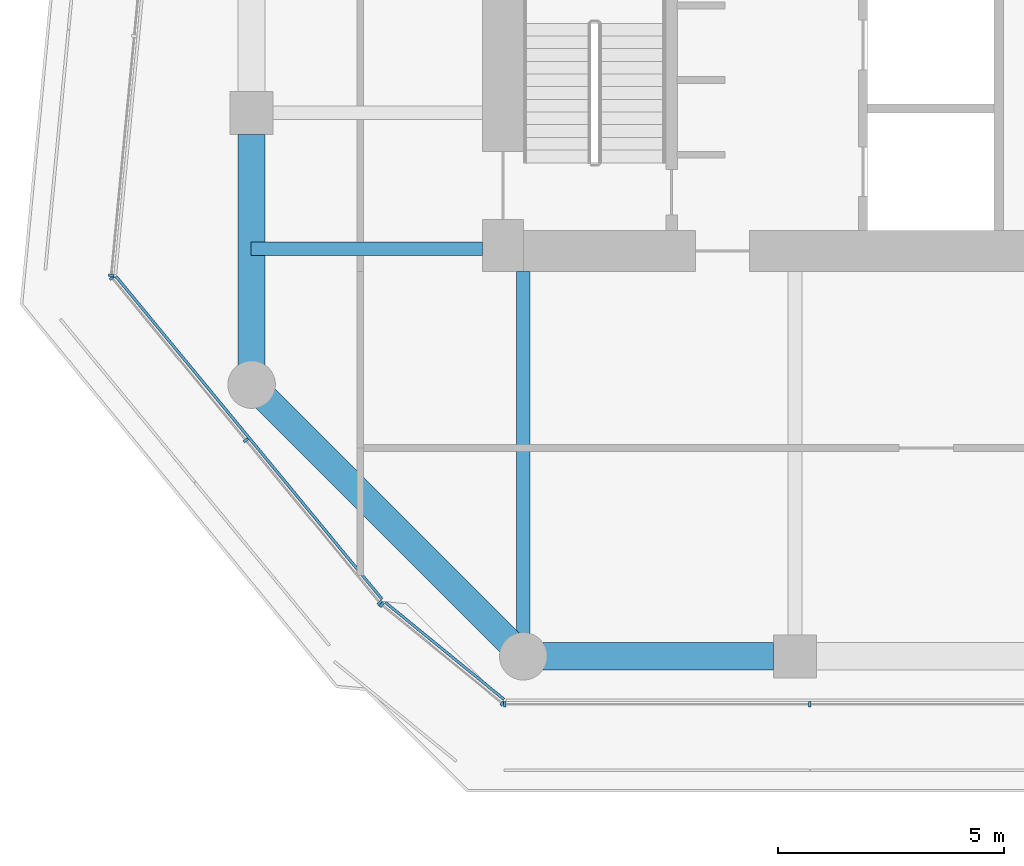
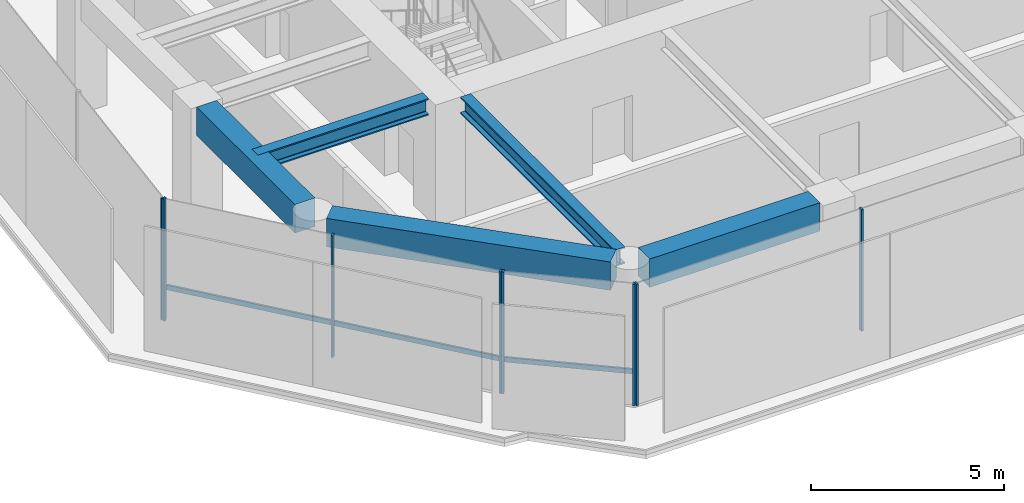
# One storey, part 2 of 31: 10 members, 5 beams, 4 elements without a shape of their own.
"""IFC4 building model written with IfcOpenShell, lengths in metres."""

from ifc_helpers import new_model, si_unit, direction, frame, origin, origin_2d, place, context, subcontext, project, spatial, rectangle, i_section, extrude, material, layer, layer_set, material_profile, profile_set, type_object, element, aggregate, save


model = new_model("IFC4")

# Units and contexts
model_context = context("Model", 3, precision=1e-05, world=origin(), true_north=direction((0.0, 1.0)))
body_context = subcontext(model_context, "Body", "Model", "MODEL_VIEW")
ifc_project = project(units=[si_unit("LENGTHUNIT", "METRE"), si_unit("AREAUNIT", "SQUARE_METRE"), si_unit("VOLUMEUNIT", "CUBIC_METRE"), si_unit("PLANEANGLEUNIT", "RADIAN"), si_unit("MASSUNIT", "GRAM", prefix="KILO")], contexts=[model_context])

# Site, building, storey
site_placement = place(None, origin())
site = spatial("IfcSite", under=ifc_project, at=site_placement, CompositionType="ELEMENT")
building_placement = place(site_placement, origin())
building = spatial("IfcBuilding", under=site, at=building_placement, Name="Welwitschia Terrace Campus", CompositionType="ELEMENT")
storey_placement = place(building_placement, frame((0.0, 0.0, 29.0)))
storey = spatial("IfcBuildingStorey", under=building, at=storey_placement, Name="L06", CompositionType="ELEMENT", Elevation=29.0)

# Beams
ifc_material_1 = material(Name="Steel S355", Category="steel")
ifc_material_profile_1 = material_profile(ifc_material_1, i_section(OverallWidth=0.305908203125, OverallDepth=0.52392578125, WebThickness=0.02099609375, FlangeThickness=0.0400390625, FilletRadius=0.027099609375, at=origin_2d()))
ifc_profile_set_1 = profile_set([ifc_material_profile_1], Name="Steel S355")
beam_type_1 = type_object("IfcBeamType", Name="Interior girder HE 500 M", PredefinedType="BEAM", material=ifc_profile_set_1)
beam_1_placement = place(storey_placement, frame((-0.010009765625, 5.0, 3.587890625), z_axis=(1.0, 0.0, 0.0), x_axis=(0.0, 1.0, 0.0)))
element("IfcBeam", 1, at=beam_1_placement, inside=storey, type_object=beam_type_1, Name="Girder GB2", PredefinedType="BEAM", context=body_context, shape_type="SweptSolid", body=[
    extrude(i_section(OverallWidth=0.305908203125, OverallDepth=0.52392578125, WebThickness=0.02099609375, FlangeThickness=0.0400390625, FilletRadius=0.027099609375, at=origin_2d()), origin(), (0.0, 0.0, 1.0), 5.109130859375),
])
beam_2_placement = place(storey_placement, frame((6.0, -3.507080078125, 3.587890625), z_axis=(0.0, 1.0, 0.0), x_axis=(-1.0, 0.0, 0.0)))
element("IfcBeam", 2, at=beam_2_placement, inside=storey, type_object=beam_type_1, Name="Girder GB2", PredefinedType="BEAM", context=body_context, shape_type="SweptSolid", body=[
    extrude(i_section(OverallWidth=0.305908203125, OverallDepth=0.52392578125, WebThickness=0.02099609375, FlangeThickness=0.0400390625, FilletRadius=0.027099609375, at=origin_2d()), origin(), (0.0, 0.0, 1.0), 8.006103515625),
])

# Curtain wall, member
ifc_material_2 = material(Name="Bronze anodised aluminium", Category="aluminium")
ifc_layer = layer(ifc_material_2, 0.1201171875)
ifc_layer_set = layer_set([ifc_layer], Name="Bronze anodised aluminium")
curtain_wall_type = type_object("IfcCurtainWallType", Name="Curtain wall CW2 tower 6000", PredefinedType="NOTDEFINED", material=ifc_layer_set)
curtain_wall_1_placement = place(storey_placement, origin())
curtain_wall_1 = element("IfcCurtainWall", 3, at=curtain_wall_1_placement, inside=storey, type_object=curtain_wall_type, Name="CW L06.0.0", PredefinedType="NOTDEFINED")
ifc_material_3 = material(Name="Bronze anodised aluminium", Category="aluminium")
ifc_material_profile_2 = material_profile(ifc_material_3, rectangle(XDim=0.1201171875, YDim=0.06005859375, at=origin_2d()))
ifc_profile_set_2 = profile_set([ifc_material_profile_2], Name="Bronze anodised aluminium")
member_type_1 = type_object("IfcMemberType", Name="Mullion 60x120", PredefinedType="MULLION", material=ifc_profile_set_2)
member_1_placement = place(storey_placement, frame((-3.1025390625, 4.4111328125, 0.0), z_axis=(0.0, 0.0, 1.0), x_axis=(0.995396198367, -0.09584575252, 0.0)))
member_1 = element("IfcMember", 4, at=member_1_placement, type_object=member_type_1, Name="Mullion L06.0.0.4", PredefinedType="MULLION", context=body_context, shape_type="SweptSolid", body=[
    extrude(rectangle(XDim=0.1201171875, YDim=0.06005859375, at=origin_2d()), origin(), (0.0, 0.0, 1.0), 3.85009765625),
])
aggregate(curtain_wall_1, [member_1])

# Curtain wall, members
curtain_wall_2_placement = place(storey_placement, origin())
curtain_wall_2 = element("IfcCurtainWall", 5, at=curtain_wall_2_placement, inside=storey, type_object=curtain_wall_type, Name="CW L06.1.0", PredefinedType="NOTDEFINED")
member_2_placement = place(storey_placement, frame((-3.08642578125, 4.358154296875, 0.0), z_axis=(0.0, 0.0, 1.0), x_axis=(0.771624583388, 0.636078220278, 0.0)))
member_2 = element("IfcMember", 6, at=member_2_placement, type_object=member_type_1, Name="Mullion L06.1.0.0", PredefinedType="MULLION", context=body_context, shape_type="SweptSolid", body=[
    extrude(rectangle(XDim=0.1201171875, YDim=0.06005859375, at=origin_2d()), origin(), (0.0, 0.0, 1.0), 3.85009765625),
])
member_3_placement = place(storey_placement, frame((-0.128173828125, 0.76953125, 0.0), z_axis=(0.0, 0.0, 1.0), x_axis=(0.771624583388, 0.636078220278, 0.0)))
member_3 = element("IfcMember", 7, at=member_3_placement, type_object=member_type_1, Name="Mullion L06.1.0.1", PredefinedType="MULLION", context=body_context, shape_type="SweptSolid", body=[
    extrude(rectangle(XDim=0.1201171875, YDim=0.06005859375, at=origin_2d()), origin(), (0.0, 0.0, 1.0), 3.85009765625),
])
member_4_placement = place(storey_placement, frame((2.830322265625, -2.8193359375, 0.0), z_axis=(0.0, 0.0, 1.0), x_axis=(0.771624583388, 0.636078220278, 0.0)))
member_4 = element("IfcMember", 8, at=member_4_placement, type_object=member_type_1, Name="Mullion L06.1.0.2", PredefinedType="MULLION", context=body_context, shape_type="SweptSolid", body=[
    extrude(rectangle(XDim=0.1201171875, YDim=0.06005859375, at=origin_2d()), origin(), (0.0, 0.0, 1.0), 3.85009765625),
])

curtain_wall_3_placement = place(storey_placement, origin())
curtain_wall_3 = element("IfcCurtainWall", 9, at=curtain_wall_3_placement, inside=storey, type_object=curtain_wall_type, Name="CW L06.2.0", PredefinedType="NOTDEFINED")
member_5_placement = place(storey_placement, frame((2.87255859375, -2.861328125, 0.0), z_axis=(0.0, 0.0, 1.0), x_axis=(0.632602755599, 0.774476438381, 0.0)))
member_5 = element("IfcMember", 10, at=member_5_placement, type_object=member_type_1, Name="Mullion L06.2.0.0", PredefinedType="MULLION", context=body_context, shape_type="SweptSolid", body=[
    extrude(rectangle(XDim=0.1201171875, YDim=0.06005859375, at=origin_2d()), origin(), (0.0, 0.0, 1.0), 3.85009765625),
])
member_6_placement = place(storey_placement, frame((5.53857421875, -5.0390625, 0.0), z_axis=(0.0, 0.0, 1.0), x_axis=(0.632602755599, 0.774476438381, 0.0)))
member_6 = element("IfcMember", 11, at=member_6_placement, type_object=member_type_1, Name="Mullion L06.2.0.1", PredefinedType="MULLION", context=body_context, shape_type="SweptSolid", body=[
    extrude(rectangle(XDim=0.1201171875, YDim=0.06005859375, at=origin_2d()), origin(), (0.0, 0.0, 1.0), 3.85009765625),
])

curtain_wall_4_placement = place(storey_placement, origin())
curtain_wall_4 = element("IfcCurtainWall", 12, at=curtain_wall_4_placement, inside=storey, type_object=curtain_wall_type, Name="CW L06.3.0", PredefinedType="NOTDEFINED")
member_7_placement = place(storey_placement, frame((5.591796875, -5.05810546875, 0.0), z_axis=(0.0, 0.0, 1.0), x_axis=(0.0, 1.0, 0.0)))
member_7 = element("IfcMember", 13, at=member_7_placement, type_object=member_type_1, Name="Mullion L06.3.0.0", PredefinedType="MULLION", context=body_context, shape_type="SweptSolid", body=[
    extrude(rectangle(XDim=0.1201171875, YDim=0.06005859375, at=origin_2d()), origin(), (0.0, 0.0, 1.0), 3.85009765625),
])
member_8_placement = place(storey_placement, frame((12.32763671875, -5.05810546875, 0.0), z_axis=(0.0, 0.0, 1.0), x_axis=(0.0, 1.0, 0.0)))
member_8 = element("IfcMember", 14, at=member_8_placement, type_object=member_type_1, Name="Mullion L06.3.0.1", PredefinedType="MULLION", context=body_context, shape_type="SweptSolid", body=[
    extrude(rectangle(XDim=0.1201171875, YDim=0.06005859375, at=origin_2d()), origin(), (0.0, 0.0, 1.0), 3.85009765625),
])
aggregate(curtain_wall_4, [member_7, member_8])

# Beams
ifc_material_4 = material(Name="Concrete C60/75", Category="concrete")
ifc_material_profile_3 = material_profile(ifc_material_4, rectangle(XDim=0.60009765625, YDim=0.89990234375, at=origin_2d()))
ifc_profile_set_3 = profile_set([ifc_material_profile_3], Name="Concrete C60/75")
beam_type_2 = type_object("IfcBeamType", Name="Ring spandrel 600x900", PredefinedType="SPANDREL", material=ifc_profile_set_3)
beam_3_placement = place(storey_placement, frame((0.30517578125, 1.69482421875, 3.39990234375), z_axis=(0.707106781187, -0.707106781187, 0.0), x_axis=(0.707106781187, 0.707106781187, 0.0)))
element("IfcBeam", 15, at=beam_3_placement, inside=storey, type_object=beam_type_2, Name="Spandrel SP2", PredefinedType="SPANDREL", context=body_context, shape_type="SweptSolid", body=[
    extrude(rectangle(XDim=0.60009765625, YDim=0.89990234375, at=origin_2d()), origin(), (0.0, 0.0, 1.0), 7.6220703125),
])
for number, where, z_axis, x_axis, name in (
    (16, (6.431396484375, -4.0, 3.39990234375), (1.0, 0.0, 0.0), (0.0, 1.0, 0.0), "Spandrel SP2"),
    (17, (0.0, 7.5244140625, 3.39990234375), (0.0, -1.0, 0.0), (1.0, 0.0, 0.0), "Spandrel SP2"),
):
    element("IfcBeam", number, at=place(storey_placement, frame(where, z_axis=z_axis, x_axis=x_axis)), inside=storey, type_object=beam_type_2, Name=name, PredefinedType="SPANDREL", context=body_context, shape_type="SweptSolid", body=[
        extrude(rectangle(XDim=0.60009765625, YDim=0.89990234375, at=origin_2d()), origin(), (0.0, 0.0, 1.0), 5.093017578125),
    ])

# Member
ifc_material_5 = material(Name="Bronze anodised aluminium", Category="aluminium")
ifc_material_profile_4 = material_profile(ifc_material_5, rectangle(XDim=0.06005859375, YDim=0.14990234375, at=origin_2d()))
ifc_profile_set_4 = profile_set([ifc_material_profile_4], Name="Bronze anodised aluminium")
member_type_2 = type_object("IfcMemberType", Name="Transom 60x150", PredefinedType="USERDEFINED", material=ifc_profile_set_4)
member_9_placement = place(storey_placement, frame((-2.997802734375, 4.392333984375, 1.0), z_axis=(0.636077567628, -0.77162512139, 0.0), x_axis=(0.77162512139, 0.636077567628, 0.0)))
member_9 = element("IfcMember", 18, at=member_9_placement, type_object=member_type_2, Name="Transom L06.1.0", ObjectType="TRANSOM", PredefinedType="USERDEFINED", context=body_context, shape_type="SweptSolid", body=[
    extrude(rectangle(XDim=0.06005859375, YDim=0.14990234375, at=origin_2d()), origin(), (0.0, 0.0, 1.0), 9.24169921875),
])

aggregate(curtain_wall_2, [member_2, member_3, member_4, member_9])

member_10_placement = place(storey_placement, frame((2.95263671875, -2.810546875, 1.0), z_axis=(0.774455507126, -0.632628380238, 0.0), x_axis=(0.632628380238, 0.774455507126, 0.0)))
member_10 = element("IfcMember", 19, at=member_10_placement, type_object=member_type_2, Name="Transom L06.2.0", ObjectType="TRANSOM", PredefinedType="USERDEFINED", context=body_context, shape_type="SweptSolid", body=[
    extrude(rectangle(XDim=0.06005859375, YDim=0.14990234375, at=origin_2d()), origin(), (0.0, 0.0, 1.0), 3.382568359375),
])

aggregate(curtain_wall_3, [member_5, member_6, member_10])

save(model, "model.ifc")
